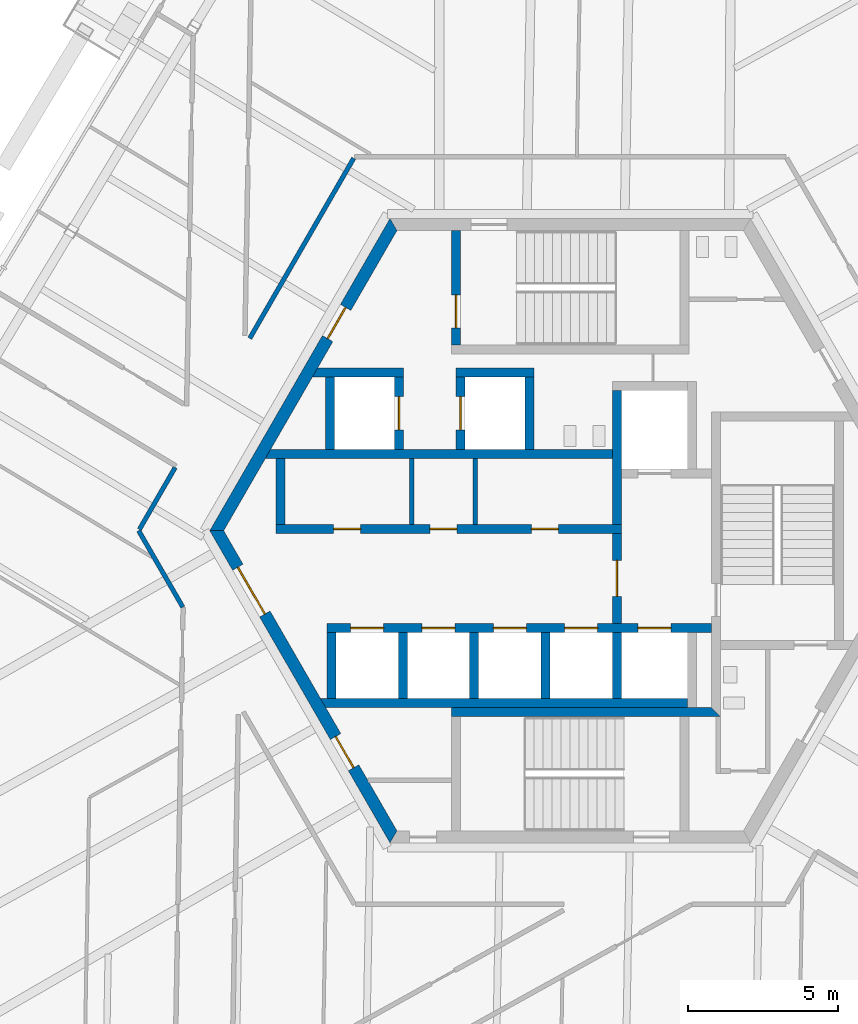
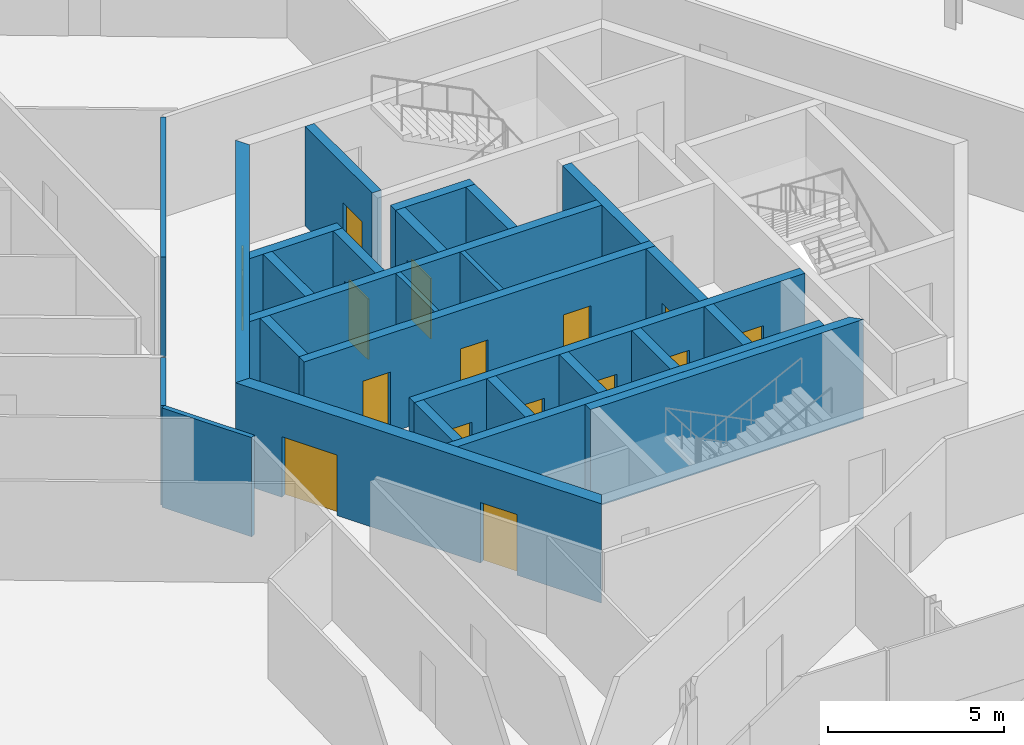
# One storey, part 12 of 18: 27 walls, 15 doors, 15 openings.
"""IFC4 building model written with IfcOpenShell, lengths in metres."""

from ifc_helpers import new_model, si_unit, direction, frame, frame_2d, origin, place, context, subcontext, project, spatial, polyline, rectangle, outline, extrude, source, transform, mapped, material, layer, layer_set, type_object, element, fill, save


model = new_model("IFC4")

# Units and contexts
model_context = context("Model", 3, precision=1e-05, world=origin(), true_north=direction((0.0, 1.0)))
body_context = subcontext(model_context, "Body", "Model", "MODEL_VIEW")
ifc_project = project(units=[si_unit("LENGTHUNIT", "METRE"), si_unit("AREAUNIT", "SQUARE_METRE"), si_unit("VOLUMEUNIT", "CUBIC_METRE"), si_unit("PLANEANGLEUNIT", "RADIAN"), si_unit("MASSUNIT", "GRAM", prefix="KILO")], contexts=[model_context])

# Site, building, storey
site_placement = place(None, origin())
site = spatial("IfcSite", under=ifc_project, at=site_placement, CompositionType="ELEMENT")
building_placement = place(site_placement, origin())
building = spatial("IfcBuilding", under=site, at=building_placement, Name="Triune Harvest Tower", CompositionType="ELEMENT")
storey_placement = place(building_placement, frame((0.0, 0.0, 197.89990234375)))
storey = spatial("IfcBuildingStorey", under=building, at=storey_placement, Name="L51", CompositionType="ELEMENT", Elevation=197.89990234375)

# Walls
ifc_material_1 = material(Name="Gypsum board on steel studs", Category="steel")
ifc_layer_1 = layer(ifc_material_1, 0.14990234375)
ifc_layer_set_1 = layer_set([ifc_layer_1], Name="Gypsum board on steel studs")
wall_type_1 = type_object("IfcWallType", Name="Fire Partition 150 mm", PredefinedType="PARTITIONING", material=ifc_layer_set_1)
wall_1_placement = place(storey_placement, frame((-14.366943359375, -0.000244140625, 0.0), z_axis=(0.0, 0.0, 1.0), x_axis=(0.500007690975, -0.866020963352, 0.0)))
element("IfcWall", 1, at=wall_1_placement, inside=storey, type_object=wall_type_1, Name="Partition L51 002", PredefinedType="PARTITIONING", context=body_context, shape_type="SweptSolid", body=[
    extrude(rectangle(XDim=2.93896484375, YDim=0.14990234375, at=frame_2d((1.469482421875, 0.0))), origin(), (0.0, 0.0, 1.0), 3.440185546875),
])
wall_2_placement = place(storey_placement, frame((-14.342041015625, 0.043701171875, 0.0), z_axis=(0.0, 0.0, 1.0), x_axis=(0.500039650838, 0.866002510152, 0.0)))
element("IfcWall", 2, at=wall_2_placement, inside=storey, type_object=wall_type_1, Name="Partition L51 035", PredefinedType="PARTITIONING", context=body_context, shape_type="SweptSolid", body=[
    extrude(rectangle(XDim=2.376220703125, YDim=0.14990234375, at=frame_2d((1.18798828125, 0.0))), origin(), (0.0, 0.0, 1.0), 3.440185546875),
])
wall_3_placement = place(storey_placement, frame((-10.66845703125, 6.406494140625, 0.0), z_axis=(0.0, 0.0, 1.0), x_axis=(0.499971886711, 0.866041634391, 0.0)))
element("IfcWall", 3, at=wall_3_placement, inside=storey, type_object=wall_type_1, Name="Partition L51 036", PredefinedType="PARTITIONING", context=body_context, shape_type="SweptSolid", body=[
    extrude(rectangle(XDim=6.91943359375, YDim=0.14990234375, at=frame_2d((3.459716796875, 0.0))), origin(), (0.0, 0.0, 1.0), 3.440185546875),
])

# Wall, opening, door
ifc_material_2 = material(Name="Concrete 70 MPa", Category="concrete")
ifc_layer_2 = layer(ifc_material_2, 0.39990234375)
ifc_layer_set_2 = layer_set([ifc_layer_2], Name="Concrete 70 MPa")
wall_type_2 = type_object("IfcWallType", Name="Core wall 400", PredefinedType="SHEAR", material=ifc_layer_set_2)
shared_shape_1 = source(origin(), body_context, "Body", "SweptSolid", [
    extrude(outline(polyline([(-0.115478515625, -0.199951171875), (11.884521484375, -0.199951171875), (11.653564453125, 0.199951171875), (0.115478515625, 0.199951171875), (-0.115478515625, -0.199951171875)])), origin(), (0.0, 0.0, 1.0), 3.440185546875),
])
wall_4_placement = place(storey_placement, frame((-5.884521484375, 10.1923828125, 0.0), z_axis=(0.0, 0.0, 1.0), x_axis=(-0.499996592174, -0.866027371285, 0.0)))
wall_4 = element("IfcWall", 4, at=wall_4_placement, inside=storey, type_object=wall_type_2, Name="Hexagon 2 wall", PredefinedType="SHEAR", context=body_context, shape_type="MappedRepresentation", body=[
    mapped(shared_shape_1, transform((0.0, 0.0, 0.0), scale=1.0)),
])
opening_1_placement = place(wall_4_placement, frame((3.1845703125, 0.0, 0.0)))
opening_1 = element("IfcOpeningElement", 5, at=opening_1_placement, cuts=wall_4, Name="Opening CD-SVP", PredefinedType="OPENING", context=body_context, shape_type="SweptSolid", body=[
    extrude(rectangle(XDim=1.199951171875, YDim=2.10009765625, at=frame_2d((0.60009765625, 1.050048828125))), frame((0.0, 0.2099609375, 0.0), z_axis=(0.0, -1.0, 0.0), x_axis=(1.0, 0.0, 0.0)), (0.0, 0.0, 1.0), 0.419921875),
])
ifc_material_3 = material(Name="Steel S235", Category="steel")
door_type_1 = type_object("IfcDoorType", Name="Service door 1200 FD120", OperationType="SINGLE_SWING_LEFT", PredefinedType="DOOR", material=ifc_material_3)
door_1_placement = place(opening_1_placement, frame((1.199951171875, 0.0, 0.0), z_axis=(0.0, 0.0, 1.0), x_axis=(-1.0, 0.0, 0.0)))
door_1 = element("IfcDoor", 6, at=door_1_placement, inside=storey, type_object=door_type_1, Name="Door CD-SVP", OperationType="SINGLE_SWING_RIGHT", OverallHeight=2.10009765625, OverallWidth=1.199951171875, PredefinedType="DOOR", context=body_context, shape_type="SweptSolid", body=[
    extrude(rectangle(XDim=1.199951171875, YDim=2.10009765625, at=frame_2d((0.60009765625, 1.050048828125))), frame((0.0, 0.02490234375, 0.0), z_axis=(0.0, -1.0, 0.0), x_axis=(1.0, 0.0, 0.0)), (0.0, 0.0, 1.0), 0.050048828125),
])
fill(opening_1, door_1)

# Wall, openings, doors
wall_5_placement = place(storey_placement, frame((-11.76904296875, 0.0, 0.0), z_axis=(0.0, 0.0, 1.0), x_axis=(0.499996592174, -0.866027371285, 0.0)))
wall_5 = element("IfcWall", 7, at=wall_5_placement, inside=storey, type_object=wall_type_2, Name="Hexagon 3 wall", PredefinedType="SHEAR", context=body_context, shape_type="MappedRepresentation", body=[
    mapped(shared_shape_1, transform((0.0, 0.0, 0.0), scale=1.0)),
])
opening_2_placement = place(wall_5_placement, frame((1.404541015625, 0.0, 0.0)))
opening_2 = element("IfcOpeningElement", 8, at=opening_2_placement, cuts=wall_5, Name="Opening CD-LS", PredefinedType="OPENING", context=body_context, shape_type="SweptSolid", body=[
    extrude(rectangle(XDim=1.800048828125, YDim=2.10009765625, at=frame_2d((0.89990234375, 1.050048828125))), frame((0.0, 0.2099609375, 0.0), z_axis=(0.0, -1.0, 0.0), x_axis=(1.0, 0.0, 0.0)), (0.0, 0.0, 1.0), 0.419921875),
])
opening_3_placement = place(wall_5_placement, frame((7.91455078125, 0.0, 0.0)))
opening_3 = element("IfcOpeningElement", 9, at=opening_3_placement, cuts=wall_5, Name="Opening CD-SWP", PredefinedType="OPENING", context=body_context, shape_type="SweptSolid", body=[
    extrude(rectangle(XDim=1.199951171875, YDim=2.10009765625, at=frame_2d((0.60009765625, 1.050048828125))), frame((0.0, 0.2099609375, 0.0), z_axis=(0.0, -1.0, 0.0), x_axis=(1.0, 0.0, 0.0)), (0.0, 0.0, 1.0), 0.419921875),
])
ifc_material_4 = material(Name="Steel S235", Category="steel")
door_type_2 = type_object("IfcDoorType", Name="Lobby door 1800 FD120", OperationType="DOUBLE_DOOR_DOUBLE_SWING", PredefinedType="DOOR", material=ifc_material_4)
door_2_placement = place(opening_2_placement, frame((1.800048828125, 0.0, 0.0), z_axis=(0.0, 0.0, 1.0), x_axis=(-1.0, 0.0, 0.0)))
door_2 = element("IfcDoor", 10, at=door_2_placement, inside=storey, type_object=door_type_2, Name="Door CD-LS", OperationType="DOUBLE_DOOR_DOUBLE_SWING", OverallHeight=2.10009765625, OverallWidth=1.800048828125, PredefinedType="DOOR", context=body_context, shape_type="SweptSolid", body=[
    extrude(rectangle(XDim=1.800048828125, YDim=2.10009765625, at=frame_2d((0.89990234375, 1.050048828125))), frame((0.0, 0.02490234375, 0.0), z_axis=(0.0, -1.0, 0.0), x_axis=(1.0, 0.0, 0.0)), (0.0, 0.0, 1.0), 0.050048828125),
])
fill(opening_2, door_2)
door_3_placement = place(opening_3_placement, frame((1.199951171875, 0.0, 0.0), z_axis=(0.0, 0.0, 1.0), x_axis=(-1.0, 0.0, 0.0)))
door_3 = element("IfcDoor", 11, at=door_3_placement, inside=storey, type_object=door_type_1, Name="Door CD-SWP", OperationType="SINGLE_SWING_RIGHT", OverallHeight=2.10009765625, OverallWidth=1.199951171875, PredefinedType="DOOR", context=body_context, shape_type="SweptSolid", body=[
    extrude(rectangle(XDim=1.199951171875, YDim=2.10009765625, at=frame_2d((0.60009765625, 1.050048828125))), frame((0.0, 0.02490234375, 0.0), z_axis=(0.0, -1.0, 0.0), x_axis=(1.0, 0.0, 0.0)), (0.0, 0.0, 1.0), 0.050048828125),
])
fill(opening_3, door_3)

ifc_material_5 = material(Name="Concrete 70 MPa", Category="concrete")
ifc_layer_3 = layer(ifc_material_5, 0.300048828125)
ifc_layer_set_3 = layer_set([ifc_layer_3], Name="Concrete 70 MPa")
wall_type_3 = type_object("IfcWallType", Name="Core wall 300", PredefinedType="SHEAR", material=ifc_layer_set_3)
shared_shape_2 = source(origin(), body_context, "Body", "SweptSolid", [
    extrude(rectangle(XDim=11.5, YDim=0.300048828125, at=frame_2d((5.75, 0.0))), origin(), (0.0, 0.0, 1.0), 3.440185546875),
])
wall_6_placement = place(storey_placement, frame((-9.800048828125, 0.06005859375, 0.0), z_axis=(0.0, 0.0, 1.0), x_axis=(1.0, 0.0, 0.0)))
wall_6 = element("IfcWall", 12, at=wall_6_placement, inside=storey, type_object=wall_type_3, Name="North front wall", PredefinedType="SHEAR", context=body_context, shape_type="MappedRepresentation", body=[
    mapped(shared_shape_2, transform((0.0, 0.0, 0.0), scale=1.0)),
])
opening_4_placement = place(wall_6_placement, frame((1.922607421875, 0.0, 0.0)))
opening_4 = element("IfcOpeningElement", 13, at=opening_4_placement, cuts=wall_6, Name="Opening CD-RN1", PredefinedType="OPENING", context=body_context, shape_type="SweptSolid", body=[
    extrude(rectangle(XDim=0.89990234375, YDim=2.10009765625, at=frame_2d((0.449951171875, 1.050048828125))), frame((0.0, 0.16015625, 0.0), z_axis=(0.0, -1.0, 0.0), x_axis=(1.0, 0.0, 0.0)), (0.0, 0.0, 1.0), 0.320068359375),
])
opening_5_placement = place(wall_6_placement, frame((5.125, 0.0, 0.0)))
opening_5 = element("IfcOpeningElement", 14, at=opening_5_placement, cuts=wall_6, Name="Opening CD-RN2", PredefinedType="OPENING", context=body_context, shape_type="SweptSolid", body=[
    extrude(rectangle(XDim=0.89990234375, YDim=2.10009765625, at=frame_2d((0.449951171875, 1.050048828125))), frame((0.0, 0.16015625, 0.0), z_axis=(0.0, -1.0, 0.0), x_axis=(1.0, 0.0, 0.0)), (0.0, 0.0, 1.0), 0.320068359375),
])
opening_6_placement = place(wall_6_placement, frame((8.50244140625, 0.0, 0.0)))
opening_6 = element("IfcOpeningElement", 15, at=opening_6_placement, cuts=wall_6, Name="Opening CD-RN3", PredefinedType="OPENING", context=body_context, shape_type="SweptSolid", body=[
    extrude(rectangle(XDim=0.89990234375, YDim=2.10009765625, at=frame_2d((0.449951171875, 1.050048828125))), frame((0.0, 0.16015625, 0.0), z_axis=(0.0, -1.0, 0.0), x_axis=(1.0, 0.0, 0.0)), (0.0, 0.0, 1.0), 0.320068359375),
])
ifc_material_6 = material(Name="Steel S235", Category="steel")
door_type_3 = type_object("IfcDoorType", Name="Riser door 900 FD120", OperationType="SINGLE_SWING_LEFT", PredefinedType="DOOR", material=ifc_material_6)
door_4_placement = place(opening_4_placement, frame((0.89990234375, 0.0, 0.0), z_axis=(0.0, 0.0, 1.0), x_axis=(-1.0, 0.0, 0.0)))
door_4 = element("IfcDoor", 16, at=door_4_placement, inside=storey, type_object=door_type_3, Name="Door CD-RN1", OperationType="SINGLE_SWING_RIGHT", OverallHeight=2.10009765625, OverallWidth=0.89990234375, PredefinedType="DOOR", context=body_context, shape_type="SweptSolid", body=[
    extrude(rectangle(XDim=0.89990234375, YDim=2.10009765625, at=frame_2d((0.449951171875, 1.050048828125))), frame((0.0, 0.02490234375, 0.0), z_axis=(0.0, -1.0, 0.0), x_axis=(1.0, 0.0, 0.0)), (0.0, 0.0, 1.0), 0.050048828125),
])
fill(opening_4, door_4)
door_5_placement = place(opening_5_placement, frame((0.89990234375, 0.0, 0.0), z_axis=(0.0, 0.0, 1.0), x_axis=(-1.0, 0.0, 0.0)))
door_5 = element("IfcDoor", 17, at=door_5_placement, inside=storey, type_object=door_type_3, Name="Door CD-RN2", OperationType="SINGLE_SWING_RIGHT", OverallHeight=2.10009765625, OverallWidth=0.89990234375, PredefinedType="DOOR", context=body_context, shape_type="SweptSolid", body=[
    extrude(rectangle(XDim=0.89990234375, YDim=2.10009765625, at=frame_2d((0.449951171875, 1.050048828125))), frame((0.0, 0.02490234375, 0.0), z_axis=(0.0, -1.0, 0.0), x_axis=(1.0, 0.0, 0.0)), (0.0, 0.0, 1.0), 0.050048828125),
])
fill(opening_5, door_5)
door_6_placement = place(opening_6_placement, frame((0.89990234375, 0.0, 0.0), z_axis=(0.0, 0.0, 1.0), x_axis=(-1.0, 0.0, 0.0)))
door_6 = element("IfcDoor", 18, at=door_6_placement, inside=storey, type_object=door_type_3, Name="Door CD-RN3", OperationType="SINGLE_SWING_RIGHT", OverallHeight=2.10009765625, OverallWidth=0.89990234375, PredefinedType="DOOR", context=body_context, shape_type="SweptSolid", body=[
    extrude(rectangle(XDim=0.89990234375, YDim=2.10009765625, at=frame_2d((0.449951171875, 1.050048828125))), frame((0.0, 0.02490234375, 0.0), z_axis=(0.0, -1.0, 0.0), x_axis=(1.0, 0.0, 0.0)), (0.0, 0.0, 1.0), 0.050048828125),
])
fill(opening_6, door_6)

# Walls
shared_shape_3 = source(origin(), body_context, "Body", "SweptSolid", [
    extrude(outline(polyline([(11.199951171875, -0.14990234375), (-0.34912109375, -0.14990234375), (-0.17578125, 0.14990234375), (11.199951171875, 0.14990234375), (11.199951171875, -0.14990234375)])), origin(), (0.0, 0.0, 1.0), 3.440185546875),
])
wall_7_placement = place(storey_placement, frame((-9.800048828125, 2.56005859375, 0.0), z_axis=(0.0, 0.0, 1.0), x_axis=(1.0, 0.0, 0.0)))
element("IfcWall", 19, at=wall_7_placement, inside=storey, type_object=wall_type_3, Name="North back wall", PredefinedType="SHEAR", context=body_context, shape_type="MappedRepresentation", body=[
    mapped(shared_shape_3, transform((0.0, 0.0, 0.0), scale=1.0)),
])
shared_shape_4 = source(origin(), body_context, "Body", "SweptSolid", [
    extrude(rectangle(XDim=4.449951171875, YDim=0.300048828125, at=frame_2d((2.22509765625, 0.0))), origin(), (0.0, 0.0, 1.0), 3.440185546875),
])
wall_8_placement = place(storey_placement, frame((1.550048828125, 0.2099609375, 0.0), z_axis=(0.0, 0.0, 1.0), x_axis=(0.0, 1.0, 0.0)))
element("IfcWall", 20, at=wall_8_placement, inside=storey, type_object=wall_type_3, Name="Ff1 west wall", PredefinedType="SHEAR", context=body_context, shape_type="MappedRepresentation", body=[
    mapped(shared_shape_4, transform((0.0, 0.0, 0.0), scale=1.0)),
])

# Wall, opening, door
shared_shape_5 = source(origin(), body_context, "Body", "SweptSolid", [
    extrude(rectangle(XDim=3.0, YDim=0.300048828125, at=frame_2d((1.5, 0.0))), origin(), (0.0, 0.0, 1.0), 3.440185546875),
])
wall_9_placement = place(storey_placement, frame((1.550048828125, -3.090087890625, 0.0), z_axis=(0.0, 0.0, 1.0), x_axis=(0.0, 1.0, 0.0)))
wall_9 = element("IfcWall", 21, at=wall_9_placement, inside=storey, type_object=wall_type_3, Name="Ff lobby west wall", PredefinedType="SHEAR", context=body_context, shape_type="MappedRepresentation", body=[
    mapped(shared_shape_5, transform((0.0, 0.0, 0.0), scale=1.0)),
])
opening_7_placement = place(wall_9_placement, frame((0.89990234375, 0.0, 0.0)))
opening_7 = element("IfcOpeningElement", 22, at=opening_7_placement, cuts=wall_9, Name="Opening CD-FL", PredefinedType="OPENING", context=body_context, shape_type="SweptSolid", body=[
    extrude(rectangle(XDim=1.199951171875, YDim=2.10009765625, at=frame_2d((0.60009765625, 1.050048828125))), frame((0.0, 0.16015625, 0.0), z_axis=(0.0, -1.0, 0.0), x_axis=(1.0, 0.0, 0.0)), (0.0, 0.0, 1.0), 0.320068359375),
])
ifc_material_7 = material(Name="Steel S235", Category="steel")
door_type_4 = type_object("IfcDoorType", Name="Firefighters' lobby door 1200 FD120", OperationType="SINGLE_SWING_LEFT", PredefinedType="DOOR", material=ifc_material_7)
door_7_placement = place(opening_7_placement, frame((1.199951171875, 0.0, 0.0), z_axis=(0.0, 0.0, 1.0), x_axis=(-1.0, 0.0, 0.0)))
door_7 = element("IfcDoor", 23, at=door_7_placement, inside=storey, type_object=door_type_4, Name="Door CD-FL", OperationType="SINGLE_SWING_RIGHT", OverallHeight=2.10009765625, OverallWidth=1.199951171875, PredefinedType="DOOR", context=body_context, shape_type="SweptSolid", body=[
    extrude(rectangle(XDim=1.199951171875, YDim=2.10009765625, at=frame_2d((0.60009765625, 1.050048828125))), frame((0.0, 0.02490234375, 0.0), z_axis=(0.0, -1.0, 0.0), x_axis=(1.0, 0.0, 0.0)), (0.0, 0.0, 1.0), 0.050048828125),
])
fill(opening_7, door_7)

# Wall, openings, doors
shared_shape_6 = source(origin(), body_context, "Body", "SweptSolid", [
    extrude(rectangle(XDim=12.800048828125, YDim=0.300048828125, at=frame_2d((6.39990234375, 0.0))), origin(), (0.0, 0.0, 1.0), 3.440185546875),
])
wall_10_placement = place(storey_placement, frame((-8.10009765625, -3.239990234375, 0.0), z_axis=(0.0, 0.0, 1.0), x_axis=(1.0, 0.0, 0.0)))
wall_10 = element("IfcWall", 24, at=wall_10_placement, inside=storey, type_object=wall_type_3, Name="South front wall", PredefinedType="SHEAR", context=body_context, shape_type="MappedRepresentation", body=[
    mapped(shared_shape_6, transform((0.0, 0.0, 0.0), scale=1.0)),
])
opening_8_placement = place(wall_10_placement, frame((0.78759765625, 0.0, 0.0)))
opening_8 = element("IfcOpeningElement", 25, at=opening_8_placement, cuts=wall_10, Name="Opening LD-HR1-51", PredefinedType="OPENING", context=body_context, shape_type="SweptSolid", body=[
    extrude(rectangle(XDim=1.10009765625, YDim=2.10009765625, at=frame_2d((0.550048828125, 1.050048828125))), frame((0.0, 0.16015625, 0.0), z_axis=(0.0, -1.0, 0.0), x_axis=(1.0, 0.0, 0.0)), (0.0, 0.0, 1.0), 0.320068359375),
])
opening_9_placement = place(wall_10_placement, frame((3.16259765625, 0.0, 0.0)))
opening_9 = element("IfcOpeningElement", 26, at=opening_9_placement, cuts=wall_10, Name="Opening LD-HR2-51", PredefinedType="OPENING", context=body_context, shape_type="SweptSolid", body=[
    extrude(rectangle(XDim=1.10009765625, YDim=2.10009765625, at=frame_2d((0.550048828125, 1.050048828125))), frame((0.0, 0.16015625, 0.0), z_axis=(0.0, -1.0, 0.0), x_axis=(1.0, 0.0, 0.0)), (0.0, 0.0, 1.0), 0.320068359375),
])
opening_10_placement = place(wall_10_placement, frame((5.53759765625, 0.0, 0.0)))
opening_10 = element("IfcOpeningElement", 27, at=opening_10_placement, cuts=wall_10, Name="Opening LD-HR3-51", PredefinedType="OPENING", context=body_context, shape_type="SweptSolid", body=[
    extrude(rectangle(XDim=1.10009765625, YDim=2.10009765625, at=frame_2d((0.550048828125, 1.050048828125))), frame((0.0, 0.16015625, 0.0), z_axis=(0.0, -1.0, 0.0), x_axis=(1.0, 0.0, 0.0)), (0.0, 0.0, 1.0), 0.320068359375),
])
opening_11_placement = place(wall_10_placement, frame((7.91259765625, 0.0, 0.0)))
opening_11 = element("IfcOpeningElement", 28, at=opening_11_placement, cuts=wall_10, Name="Opening LD-HR4-51", PredefinedType="OPENING", context=body_context, shape_type="SweptSolid", body=[
    extrude(rectangle(XDim=1.10009765625, YDim=2.10009765625, at=frame_2d((0.550048828125, 1.050048828125))), frame((0.0, 0.16015625, 0.0), z_axis=(0.0, -1.0, 0.0), x_axis=(1.0, 0.0, 0.0)), (0.0, 0.0, 1.0), 0.320068359375),
])
opening_12_placement = place(wall_10_placement, frame((10.35009765625, 0.0, 0.0)))
opening_12 = element("IfcOpeningElement", 29, at=opening_12_placement, cuts=wall_10, Name="Opening LD-FF2-51", PredefinedType="OPENING", context=body_context, shape_type="SweptSolid", body=[
    extrude(rectangle(XDim=1.10009765625, YDim=2.10009765625, at=frame_2d((0.550048828125, 1.050048828125))), frame((0.0, 0.16015625, 0.0), z_axis=(0.0, -1.0, 0.0), x_axis=(1.0, 0.0, 0.0)), (0.0, 0.0, 1.0), 0.320068359375),
])
ifc_material_8 = material(Name="Stainless steel AISI 304", Category="steel")
door_type_5 = type_object("IfcDoorType", Name="Landing door 1100 x 2100", OperationType="DOUBLE_DOOR_SLIDING", PredefinedType="DOOR", material=ifc_material_8)
door_8_placement = place(opening_8_placement, origin())
door_8 = element("IfcDoor", 30, at=door_8_placement, inside=storey, type_object=door_type_5, Name="Door LD-HR1-51", OperationType="DOUBLE_DOOR_SLIDING", OverallHeight=2.10009765625, OverallWidth=1.10009765625, PredefinedType="DOOR", context=body_context, shape_type="SweptSolid", body=[
    extrude(rectangle(XDim=1.10009765625, YDim=2.10009765625, at=frame_2d((0.550048828125, 1.050048828125))), frame((0.0, 0.02490234375, 0.0), z_axis=(0.0, -1.0, 0.0), x_axis=(1.0, 0.0, 0.0)), (0.0, 0.0, 1.0), 0.050048828125),
])
fill(opening_8, door_8)
door_9_placement = place(opening_9_placement, origin())
door_9 = element("IfcDoor", 31, at=door_9_placement, inside=storey, type_object=door_type_5, Name="Door LD-HR2-51", OperationType="DOUBLE_DOOR_SLIDING", OverallHeight=2.10009765625, OverallWidth=1.10009765625, PredefinedType="DOOR", context=body_context, shape_type="SweptSolid", body=[
    extrude(rectangle(XDim=1.10009765625, YDim=2.10009765625, at=frame_2d((0.550048828125, 1.050048828125))), frame((0.0, 0.02490234375, 0.0), z_axis=(0.0, -1.0, 0.0), x_axis=(1.0, 0.0, 0.0)), (0.0, 0.0, 1.0), 0.050048828125),
])
fill(opening_9, door_9)
door_10_placement = place(opening_10_placement, origin())
door_10 = element("IfcDoor", 32, at=door_10_placement, inside=storey, type_object=door_type_5, Name="Door LD-HR3-51", OperationType="DOUBLE_DOOR_SLIDING", OverallHeight=2.10009765625, OverallWidth=1.10009765625, PredefinedType="DOOR", context=body_context, shape_type="SweptSolid", body=[
    extrude(rectangle(XDim=1.10009765625, YDim=2.10009765625, at=frame_2d((0.550048828125, 1.050048828125))), frame((0.0, 0.02490234375, 0.0), z_axis=(0.0, -1.0, 0.0), x_axis=(1.0, 0.0, 0.0)), (0.0, 0.0, 1.0), 0.050048828125),
])
fill(opening_10, door_10)
door_11_placement = place(opening_11_placement, origin())
door_11 = element("IfcDoor", 33, at=door_11_placement, inside=storey, type_object=door_type_5, Name="Door LD-HR4-51", OperationType="DOUBLE_DOOR_SLIDING", OverallHeight=2.10009765625, OverallWidth=1.10009765625, PredefinedType="DOOR", context=body_context, shape_type="SweptSolid", body=[
    extrude(rectangle(XDim=1.10009765625, YDim=2.10009765625, at=frame_2d((0.550048828125, 1.050048828125))), frame((0.0, 0.02490234375, 0.0), z_axis=(0.0, -1.0, 0.0), x_axis=(1.0, 0.0, 0.0)), (0.0, 0.0, 1.0), 0.050048828125),
])
fill(opening_11, door_11)
door_12_placement = place(opening_12_placement, origin())
door_12 = element("IfcDoor", 34, at=door_12_placement, inside=storey, type_object=door_type_5, Name="Door LD-FF2-51", OperationType="DOUBLE_DOOR_SLIDING", OverallHeight=2.10009765625, OverallWidth=1.10009765625, PredefinedType="DOOR", context=body_context, shape_type="SweptSolid", body=[
    extrude(rectangle(XDim=1.10009765625, YDim=2.10009765625, at=frame_2d((0.550048828125, 1.050048828125))), frame((0.0, 0.02490234375, 0.0), z_axis=(0.0, -1.0, 0.0), x_axis=(1.0, 0.0, 0.0)), (0.0, 0.0, 1.0), 0.050048828125),
])
fill(opening_12, door_12)

# Walls
shared_shape_7 = source(origin(), body_context, "Body", "SweptSolid", [
    extrude(outline(polyline([(12.0, -0.14990234375), (-0.039794921875, -0.14990234375), (-0.212890625, 0.14990234375), (12.0, 0.14990234375), (12.0, -0.14990234375)])), origin(), (0.0, 0.0, 1.0), 3.440185546875),
])
wall_11_placement = place(storey_placement, frame((-8.10009765625, -5.739990234375, 0.0), z_axis=(0.0, 0.0, 1.0), x_axis=(1.0, 0.0, 0.0)))
element("IfcWall", 35, at=wall_11_placement, inside=storey, type_object=wall_type_3, Name="South back wall", PredefinedType="SHEAR", context=body_context, shape_type="MappedRepresentation", body=[
    mapped(shared_shape_7, transform((0.0, 0.0, 0.0), scale=1.0)),
])
shared_shape_8 = source(origin(), body_context, "Body", "SweptSolid", [
    extrude(rectangle(XDim=2.2001953125, YDim=0.300048828125, at=frame_2d((1.10009765625, 0.0))), origin(), (0.0, 0.0, 1.0), 3.440185546875),
])
for number, where, z_axis, x_axis, name in (
    (36, (-7.949951171875, -5.590087890625, 0.0), (0.0, 0.0, 1.0), (0.0, 1.0, 0.0), "South end west wall"),
    (37, (1.550048828125, -5.590087890625, 0.0), (0.0, 0.0, 1.0), (0.0, 1.0, 0.0), "Ff2 west wall"),
    (38, (-5.574951171875, -5.590087890625, 0.0), (0.0, 0.0, 1.0), (0.0, 1.0, 0.0), "South cross 1 wall"),
    (39, (-3.199951171875, -5.590087890625, 0.0), (0.0, 0.0, 1.0), (0.0, 1.0, 0.0), "South cross 2 wall"),
    (40, (-0.824951171875, -5.590087890625, 0.0), (0.0, 0.0, 1.0), (0.0, 1.0, 0.0), "South cross 3 wall"),
):
    element("IfcWall", number, at=place(storey_placement, frame(where, z_axis=z_axis, x_axis=x_axis)), inside=storey, type_object=wall_type_3, Name=name, PredefinedType="SHEAR", context=body_context, shape_type="MappedRepresentation", body=[
        mapped(shared_shape_8, transform((0.0, 0.0, 0.0), scale=1.0)),
    ])
shared_shape_9 = source(origin(), body_context, "Body", "SweptSolid", [
    extrude(rectangle(XDim=2.199951171875, YDim=0.300048828125, at=frame_2d((1.10009765625, 0.0))), origin(), (0.0, 0.0, 1.0), 3.440185546875),
])
wall_12_placement = place(storey_placement, frame((-9.64990234375, 0.2099609375, 0.0), z_axis=(0.0, 0.0, 1.0), x_axis=(0.0, 1.0, 0.0)))
element("IfcWall", 41, at=wall_12_placement, inside=storey, type_object=wall_type_3, Name="North end west wall", PredefinedType="SHEAR", context=body_context, shape_type="MappedRepresentation", body=[
    mapped(shared_shape_9, transform((0.0, 0.0, 0.0), scale=1.0)),
])

# Wall, opening, door
shared_shape_10 = source(origin(), body_context, "Body", "SweptSolid", [
    extrude(outline(polyline([(0.0, -0.14990234375), (0.0, 0.14990234375), (3.80419921875, 0.14990234375), (3.80419921875, -0.14990234375), (0.0, -0.14990234375)])), origin(), (0.0, 0.0, 1.0), 3.440185546875),
])
wall_13_placement = place(storey_placement, frame((-3.800048828125, 6.18994140625, 0.0), z_axis=(0.0, 0.0, 1.0), x_axis=(0.0, 1.0, 0.0)))
wall_13 = element("IfcWall", 42, at=wall_13_placement, inside=storey, type_object=wall_type_3, Name="Stair n west wall", PredefinedType="SHEAR", context=body_context, shape_type="MappedRepresentation", body=[
    mapped(shared_shape_10, transform((0.0, 0.0, 0.0), scale=1.0)),
])
opening_13_placement = place(wall_13_placement, frame((0.56005859375, 0.0, 0.0)))
opening_13 = element("IfcOpeningElement", 43, at=opening_13_placement, cuts=wall_13, Name="Opening CD-S1L", PredefinedType="OPENING", context=body_context, shape_type="SweptSolid", body=[
    extrude(rectangle(XDim=1.10009765625, YDim=2.10009765625, at=frame_2d((0.550048828125, 1.050048828125))), frame((0.0, 0.16015625, 0.0), z_axis=(0.0, -1.0, 0.0), x_axis=(1.0, 0.0, 0.0)), (0.0, 0.0, 1.0), 0.320068359375),
])
ifc_material_9 = material(Name="Steel S235", Category="steel")
door_type_6 = type_object("IfcDoorType", Name="Stair door 1100 FD120", OperationType="SINGLE_SWING_LEFT", PredefinedType="DOOR", material=ifc_material_9)
door_13_placement = place(opening_13_placement, frame((1.10009765625, 0.0, 0.0), z_axis=(0.0, 0.0, 1.0), x_axis=(-1.0, 0.0, 0.0)))
door_13 = element("IfcDoor", 44, at=door_13_placement, inside=storey, type_object=door_type_6, Name="Door CD-S1L", OperationType="SINGLE_SWING_RIGHT", OverallHeight=2.10009765625, OverallWidth=1.10009765625, PredefinedType="DOOR", context=body_context, shape_type="SweptSolid", body=[
    extrude(rectangle(XDim=1.10009765625, YDim=2.10009765625, at=frame_2d((0.550048828125, 1.050048828125))), frame((0.0, 0.02490234375, 0.0), z_axis=(0.0, -1.0, 0.0), x_axis=(1.0, 0.0, 0.0)), (0.0, 0.0, 1.0), 0.050048828125),
])
fill(opening_13, door_13)

# Walls
shared_shape_11 = source(origin(), body_context, "Body", "SweptSolid", [
    extrude(outline(polyline([(0.0, -0.14990234375), (8.949951171875, -0.14990234375), (8.64990234375, 0.14990234375), (0.0, 0.14990234375), (0.0, -0.14990234375)])), origin(), (0.0, 0.0, 1.0), 3.440185546875),
])
wall_14_placement = place(storey_placement, frame((-3.949951171875, -6.0400390625, 0.0), z_axis=(0.0, 0.0, 1.0), x_axis=(1.0, 0.0, 0.0)))
element("IfcWall", 45, at=wall_14_placement, inside=storey, type_object=wall_type_3, Name="Stair s north wall", PredefinedType="SHEAR", context=body_context, shape_type="MappedRepresentation", body=[
    mapped(shared_shape_11, transform((0.0, 0.0, 0.0), scale=1.0)),
])
shared_shape_12 = source(origin(), body_context, "Body", "SweptSolid", [
    extrude(outline(polyline([(2.60009765625, -0.14990234375), (-0.440185546875, -0.14990234375), (-0.26708984375, 0.14990234375), (2.60009765625, 0.14990234375), (2.60009765625, -0.14990234375)])), origin(), (0.0, 0.0, 1.0), 3.440185546875),
])
wall_15_placement = place(storey_placement, frame((-8.14990234375, 5.260009765625, 0.0), z_axis=(0.0, 0.0, 1.0), x_axis=(1.0, 0.0, 0.0)))
element("IfcWall", 46, at=wall_15_placement, inside=storey, type_object=wall_type_3, Name="Sv1 north wall", PredefinedType="SHEAR", context=body_context, shape_type="MappedRepresentation", body=[
    mapped(shared_shape_12, transform((0.0, 0.0, 0.0), scale=1.0)),
])
shared_shape_13 = source(origin(), body_context, "Body", "SweptSolid", [
    extrude(rectangle(XDim=2.400146484375, YDim=0.300048828125, at=frame_2d((1.2001953125, 0.0))), origin(), (0.0, 0.0, 1.0), 3.440185546875),
])
wall_16_placement = place(storey_placement, frame((-8.0, 2.7099609375, 0.0), z_axis=(0.0, 0.0, 1.0), x_axis=(0.0, 1.0, 0.0)))
element("IfcWall", 47, at=wall_16_placement, inside=storey, type_object=wall_type_3, Name="Sv1 west wall", PredefinedType="SHEAR", context=body_context, shape_type="MappedRepresentation", body=[
    mapped(shared_shape_13, transform((0.0, 0.0, 0.0), scale=1.0)),
])

# Wall, opening, door
wall_17_placement = place(storey_placement, frame((-5.699951171875, 2.7099609375, 0.0), z_axis=(0.0, 0.0, 1.0), x_axis=(0.0, 1.0, 0.0)))
wall_17 = element("IfcWall", 48, at=wall_17_placement, inside=storey, type_object=wall_type_3, Name="Sv1 east wall", PredefinedType="SHEAR", context=body_context, shape_type="MappedRepresentation", body=[
    mapped(shared_shape_13, transform((0.0, 0.0, 0.0), scale=1.0)),
])
opening_14_placement = place(wall_17_placement, frame((0.64990234375, 0.0, 0.0)))
opening_14 = element("IfcOpeningElement", 49, at=opening_14_placement, cuts=wall_17, Name="Opening LD-SV1-51", PredefinedType="OPENING", context=body_context, shape_type="SweptSolid", body=[
    extrude(rectangle(XDim=1.10009765625, YDim=2.10009765625, at=frame_2d((0.550048828125, 1.050048828125))), frame((0.0, 0.16015625, 0.0), z_axis=(0.0, -1.0, 0.0), x_axis=(1.0, 0.0, 0.0)), (0.0, 0.0, 1.0), 0.320068359375),
])
door_14_placement = place(opening_14_placement, origin())
door_14 = element("IfcDoor", 50, at=door_14_placement, inside=storey, type_object=door_type_5, Name="Door LD-SV1-51", OperationType="DOUBLE_DOOR_SLIDING", OverallHeight=2.10009765625, OverallWidth=1.10009765625, PredefinedType="DOOR", context=body_context, shape_type="SweptSolid", body=[
    extrude(rectangle(XDim=1.10009765625, YDim=2.10009765625, at=frame_2d((0.550048828125, 1.050048828125))), frame((0.0, 0.02490234375, 0.0), z_axis=(0.0, -1.0, 0.0), x_axis=(1.0, 0.0, 0.0)), (0.0, 0.0, 1.0), 0.050048828125),
])
fill(opening_14, door_14)

wall_18_placement = place(storey_placement, frame((-3.64990234375, 2.7099609375, 0.0), z_axis=(0.0, 0.0, 1.0), x_axis=(0.0, 1.0, 0.0)))
wall_18 = element("IfcWall", 51, at=wall_18_placement, inside=storey, type_object=wall_type_3, Name="Sv2 west wall", PredefinedType="SHEAR", context=body_context, shape_type="MappedRepresentation", body=[
    mapped(shared_shape_13, transform((0.0, 0.0, 0.0), scale=1.0)),
])
opening_15_placement = place(wall_18_placement, frame((0.64990234375, 0.0, 0.0)))
opening_15 = element("IfcOpeningElement", 52, at=opening_15_placement, cuts=wall_18, Name="Opening LD-SV2-51", PredefinedType="OPENING", context=body_context, shape_type="SweptSolid", body=[
    extrude(rectangle(XDim=1.10009765625, YDim=2.10009765625, at=frame_2d((0.550048828125, 1.050048828125))), frame((0.0, 0.16015625, 0.0), z_axis=(0.0, -1.0, 0.0), x_axis=(1.0, 0.0, 0.0)), (0.0, 0.0, 1.0), 0.320068359375),
])
door_15_placement = place(opening_15_placement, origin())
door_15 = element("IfcDoor", 53, at=door_15_placement, inside=storey, type_object=door_type_5, Name="Door LD-SV2-51", OperationType="DOUBLE_DOOR_SLIDING", OverallHeight=2.10009765625, OverallWidth=1.10009765625, PredefinedType="DOOR", context=body_context, shape_type="SweptSolid", body=[
    extrude(rectangle(XDim=1.10009765625, YDim=2.10009765625, at=frame_2d((0.550048828125, 1.050048828125))), frame((0.0, 0.02490234375, 0.0), z_axis=(0.0, -1.0, 0.0), x_axis=(1.0, 0.0, 0.0)), (0.0, 0.0, 1.0), 0.050048828125),
])
fill(opening_15, door_15)

# Walls
wall_19_placement = place(storey_placement, frame((-1.35009765625, 2.7099609375, 0.0), z_axis=(0.0, 0.0, 1.0), x_axis=(0.0, 1.0, 0.0)))
element("IfcWall", 54, at=wall_19_placement, inside=storey, type_object=wall_type_3, Name="Sv2 east wall", PredefinedType="SHEAR", context=body_context, shape_type="MappedRepresentation", body=[
    mapped(shared_shape_13, transform((0.0, 0.0, 0.0), scale=1.0)),
])
shared_shape_14 = source(origin(), body_context, "Body", "SweptSolid", [
    extrude(rectangle(XDim=2.60009765625, YDim=0.300048828125, at=frame_2d((1.300048828125, 0.0))), origin(), (0.0, 0.0, 1.0), 3.440185546875),
])
wall_20_placement = place(storey_placement, frame((-3.800048828125, 5.260009765625, 0.0), z_axis=(0.0, 0.0, 1.0), x_axis=(1.0, 0.0, 0.0)))
element("IfcWall", 55, at=wall_20_placement, inside=storey, type_object=wall_type_3, Name="Sv2 north wall", PredefinedType="SHEAR", context=body_context, shape_type="MappedRepresentation", body=[
    mapped(shared_shape_14, transform((0.0, 0.0, 0.0), scale=1.0)),
])
ifc_material_10 = material(Name="Concrete masonry unit", Category="masonry")
ifc_layer_4 = layer(ifc_material_10, 0.14990234375)
ifc_layer_set_4 = layer_set([ifc_layer_4], Name="Concrete masonry unit")
wall_type_4 = type_object("IfcWallType", Name="Block partition 150", PredefinedType="PARTITIONING", material=ifc_layer_set_4)
shared_shape_15 = source(origin(), body_context, "Body", "SweptSolid", [
    extrude(rectangle(XDim=2.199951171875, YDim=0.14990234375, at=frame_2d((1.10009765625, 0.0))), origin(), (0.0, 0.0, 1.0), 3.440185546875),
])
for number, where, z_axis, x_axis, name in (
    (56, (-5.280029296875, 0.2099609375, 0.0), (0.0, 0.0, 1.0), (0.0, 1.0, 0.0), "Row n part 1 wall"),
    (57, (-3.169921875, 0.2099609375, 0.0), (0.0, 0.0, 1.0), (0.0, 1.0, 0.0), "Row n part 2 wall"),
):
    element("IfcWall", number, at=place(storey_placement, frame(where, z_axis=z_axis, x_axis=x_axis)), inside=storey, type_object=wall_type_4, Name=name, PredefinedType="PARTITIONING", context=body_context, shape_type="MappedRepresentation", body=[
        mapped(shared_shape_15, transform((0.0, 0.0, 0.0), scale=1.0)),
    ])

save(model, "model.ifc")
